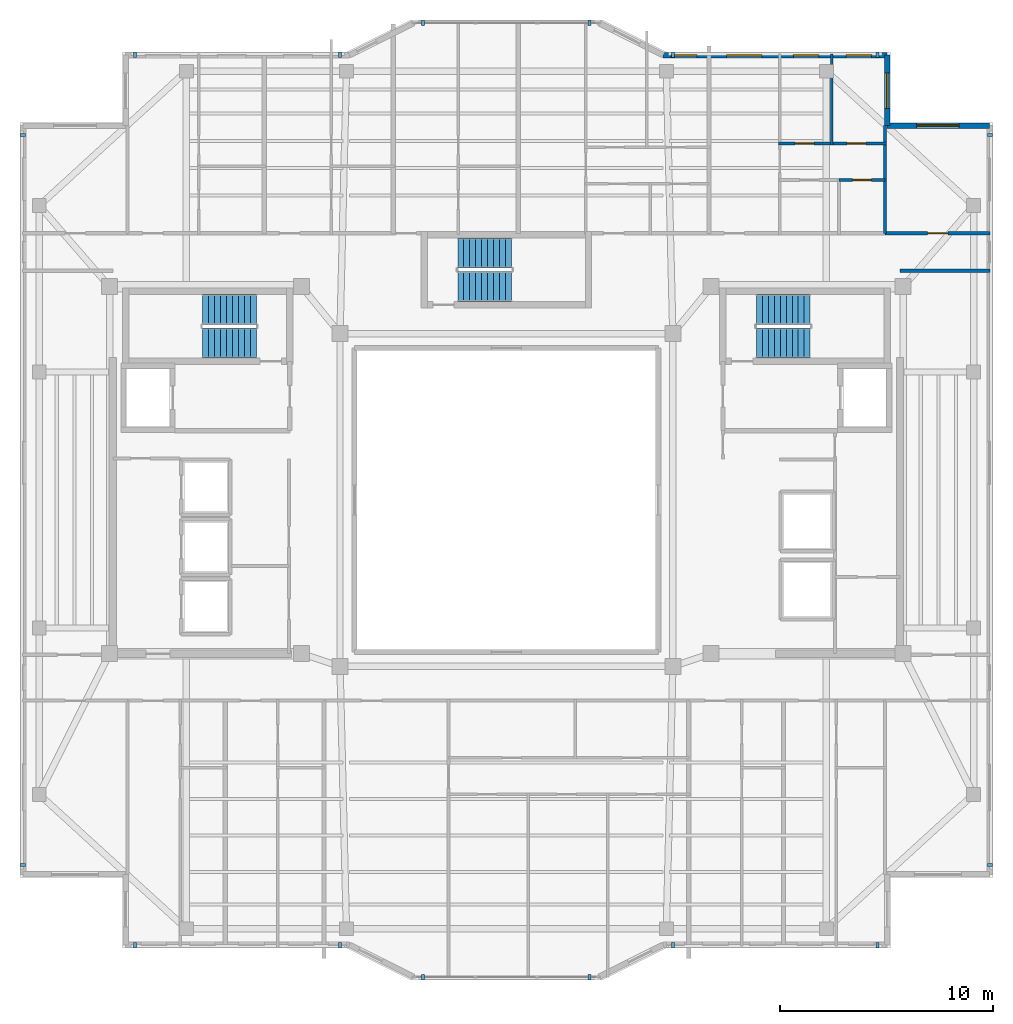
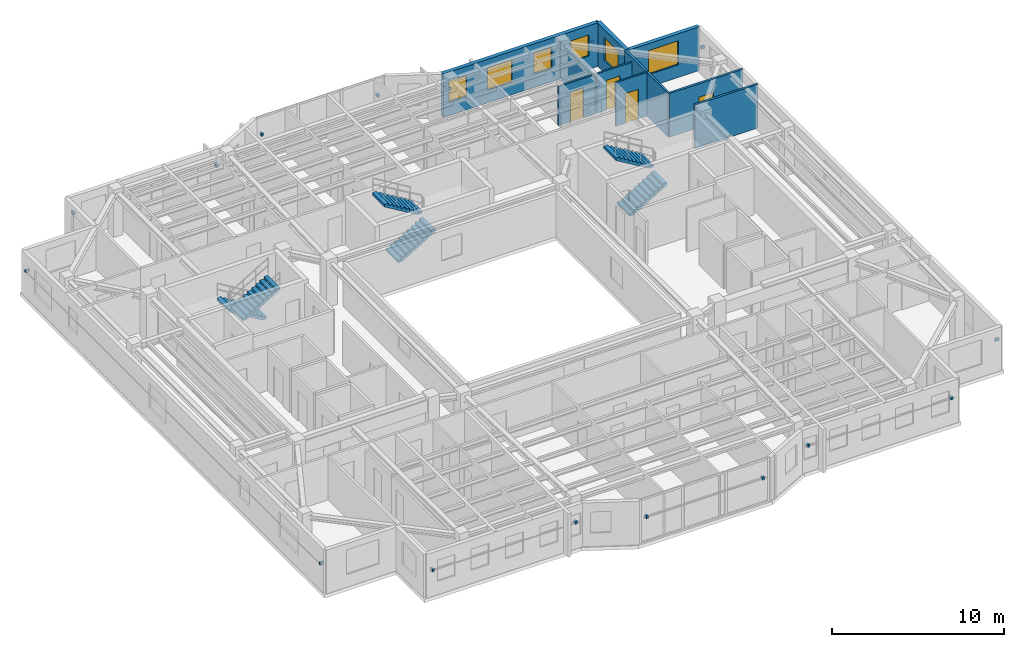
# One storey, part 11 of 14: 16 discrete accessories, 9 walls, 6 stair flights, 6 windows, 4 doors, 10 openings, 3 elements without a shape of their own.
"""IFC4 building model written with IfcOpenShell, lengths in metres."""

from ifc_helpers import new_model, si_unit, direction, frame, frame_2d, origin, origin_2d, place, context, subcontext, project, spatial, polyline, rectangle, outline, extrude, material, layer, layer_set, type_object, element, fill, aggregate, save


model = new_model("IFC4")

# Units and contexts
model_context = context("Model", 3, precision=1e-05, world=origin(), true_north=direction((0.0, 1.0)))
body_context = subcontext(model_context, "Body", "Model", "MODEL_VIEW")
ifc_project = project(units=[si_unit("LENGTHUNIT", "METRE"), si_unit("AREAUNIT", "SQUARE_METRE"), si_unit("VOLUMEUNIT", "CUBIC_METRE"), si_unit("PLANEANGLEUNIT", "RADIAN"), si_unit("MASSUNIT", "GRAM", prefix="KILO")], contexts=[model_context])

# Site, building, storey
site_placement = place(None, origin())
site = spatial("IfcSite", under=ifc_project, at=site_placement, CompositionType="ELEMENT")
building_placement = place(site_placement, origin())
building = spatial("IfcBuilding", under=site, at=building_placement, Name="Tarnavaz Court Tower", CompositionType="ELEMENT")
storey_placement = place(building_placement, frame((0.0, 0.0, 264.949951171875)))
storey = spatial("IfcBuildingStorey", under=building, at=storey_placement, Name="L72", CompositionType="ELEMENT", Elevation=264.949951171875)

# Wall, openings, windows
ifc_material_1 = material(Name="Precast Concrete C40/50", Category="concrete")
ifc_layer_1 = layer(ifc_material_1, 0.260009765625)
ifc_layer_set_1 = layer_set([ifc_layer_1], Name="Precast Concrete C40/50")
wall_type_1 = type_object("IfcWallType", Name="WL-EXT-260", PredefinedType="SOLIDWALL", material=ifc_layer_set_1)
wall_1_placement = place(storey_placement, frame((7.35009765625, 20.85009765625, 0.0), z_axis=(0.0, 0.0, 1.0), x_axis=(1.0, 0.0, 0.0)))
wall_1 = element("IfcWall", 1, at=wall_1_placement, inside=storey, type_object=wall_type_1, Name="L72 Exterior Terracotta Facade Wall 09", PredefinedType="SOLIDWALL", context=body_context, shape_type="SweptSolid", body=[
    extrude(rectangle(XDim=10.5, YDim=0.260009765625, at=frame_2d((5.25, 0.0))), origin(), (0.0, 0.0, 1.0), 3.10009765625),
])
opening_1_placement = place(wall_1_placement, frame((0.375, 0.0, 0.949951171875)))
opening_1 = element("IfcOpeningElement", 2, at=opening_1_placement, cuts=wall_1, Name="Opening W05", PredefinedType="OPENING", context=body_context, shape_type="SweptSolid", body=[
    extrude(rectangle(XDim=1.199951171875, YDim=1.5, at=frame_2d((0.60009765625, 0.75))), frame((0.0, 0.139892578125, 0.0), z_axis=(0.0, -1.0, 0.0), x_axis=(1.0, 0.0, 0.0)), (0.0, 0.0, 1.0), 0.280029296875),
])
opening_2_placement = place(wall_1_placement, frame((2.97509765625, 0.0, 0.89990234375)))
opening_2 = element("IfcOpeningElement", 3, at=opening_2_placement, cuts=wall_1, Name="Opening W02", PredefinedType="OPENING", context=body_context, shape_type="SweptSolid", body=[
    extrude(rectangle(XDim=1.64990234375, YDim=1.60009765625, at=frame_2d((0.824951171875, 0.800048828125))), frame((0.0, 0.139892578125, 0.0), z_axis=(0.0, -1.0, 0.0), x_axis=(1.0, 0.0, 0.0)), (0.0, 0.0, 1.0), 0.280029296875),
])
opening_3_placement = place(wall_1_placement, frame((6.10009765625, 0.0, 0.949951171875)))
opening_3 = element("IfcOpeningElement", 4, at=opening_3_placement, cuts=wall_1, Name="Opening W05", PredefinedType="OPENING", context=body_context, shape_type="SweptSolid", body=[
    extrude(rectangle(XDim=1.199951171875, YDim=1.5, at=frame_2d((0.60009765625, 0.75))), frame((0.0, 0.139892578125, 0.0), z_axis=(0.0, -1.0, 0.0), x_axis=(1.0, 0.0, 0.0)), (0.0, 0.0, 1.0), 0.280029296875),
])
opening_4_placement = place(wall_1_placement, frame((8.574951171875, 0.0, 0.949951171875)))
opening_4 = element("IfcOpeningElement", 5, at=opening_4_placement, cuts=wall_1, Name="Opening W05", PredefinedType="OPENING", context=body_context, shape_type="SweptSolid", body=[
    extrude(rectangle(XDim=1.199951171875, YDim=1.5, at=frame_2d((0.60009765625, 0.75))), frame((0.0, 0.139892578125, 0.0), z_axis=(0.0, -1.0, 0.0), x_axis=(1.0, 0.0, 0.0)), (0.0, 0.0, 1.0), 0.280029296875),
])
ifc_material_2 = material(Name="Double-Glazed Solar Low-E Glass", Category="glass")
window_type_1 = type_object("IfcWindowType", Name="WN-APT-1200", PartitioningType="SINGLE_PANEL", PredefinedType="WINDOW", material=ifc_material_2)
window_1_placement = place(opening_1_placement, origin())
window_1 = element("IfcWindow", 6, at=window_1_placement, inside=storey, type_object=window_type_1, Name="L72 Flat 04 Bedroom 2 Window", OverallHeight=1.5, OverallWidth=1.199951171875, PartitioningType="SINGLE_PANEL", PredefinedType="WINDOW", context=body_context, shape_type="SweptSolid", body=[
    extrude(rectangle(XDim=1.199951171875, YDim=1.5, at=frame_2d((0.60009765625, 0.75))), frame((0.0, 0.030029296875, 0.0), z_axis=(0.0, -1.0, 0.0), x_axis=(1.0, 0.0, 0.0)), (0.0, 0.0, 1.0), 0.06005859375),
])
fill(opening_1, window_1)
window_2_placement = place(opening_3_placement, origin())
window_2 = element("IfcWindow", 7, at=window_2_placement, inside=storey, type_object=window_type_1, Name="L72 Flat 05 Principal Bedroom Window", OverallHeight=1.5, OverallWidth=1.199951171875, PartitioningType="SINGLE_PANEL", PredefinedType="WINDOW", context=body_context, shape_type="SweptSolid", body=[
    extrude(rectangle(XDim=1.199951171875, YDim=1.5, at=frame_2d((0.60009765625, 0.75))), frame((0.0, 0.030029296875, 0.0), z_axis=(0.0, -1.0, 0.0), x_axis=(1.0, 0.0, 0.0)), (0.0, 0.0, 1.0), 0.06005859375),
])
fill(opening_3, window_2)
window_3_placement = place(opening_4_placement, origin())
window_3 = element("IfcWindow", 8, at=window_3_placement, inside=storey, type_object=window_type_1, Name="L72 Flat 05 Bedroom 2 Window", OverallHeight=1.5, OverallWidth=1.199951171875, PartitioningType="SINGLE_PANEL", PredefinedType="WINDOW", context=body_context, shape_type="SweptSolid", body=[
    extrude(rectangle(XDim=1.199951171875, YDim=1.5, at=frame_2d((0.60009765625, 0.75))), frame((0.0, 0.030029296875, 0.0), z_axis=(0.0, -1.0, 0.0), x_axis=(1.0, 0.0, 0.0)), (0.0, 0.0, 1.0), 0.06005859375),
])
fill(opening_4, window_3)
window_type_2 = type_object("IfcWindowType", Name="WN-APT-1650", PartitioningType="DOUBLE_PANEL_VERTICAL", PredefinedType="WINDOW", material=ifc_material_2)
window_4_placement = place(opening_2_placement, origin())
window_4 = element("IfcWindow", 9, at=window_4_placement, inside=storey, type_object=window_type_2, Name="L72 Flat 05 Living and Dining Room Window", OverallHeight=1.60009765625, OverallWidth=1.64990234375, PartitioningType="SINGLE_PANEL", PredefinedType="WINDOW", context=body_context, shape_type="SweptSolid", body=[
    extrude(rectangle(XDim=1.64990234375, YDim=1.60009765625, at=frame_2d((0.824951171875, 0.800048828125))), frame((0.0, 0.030029296875, 0.0), z_axis=(0.0, -1.0, 0.0), x_axis=(1.0, 0.0, 0.0)), (0.0, 0.0, 1.0), 0.06005859375),
])
fill(opening_2, window_4)

# Wall, opening, window
wall_2_placement = place(storey_placement, frame((17.85009765625, 20.85009765625, 0.0), z_axis=(0.0, 0.0, 1.0), x_axis=(0.0, -1.0, 0.0)))
wall_2 = element("IfcWall", 10, at=wall_2_placement, inside=storey, type_object=wall_type_1, Name="L72 Exterior Terracotta Facade Wall 10", PredefinedType="SOLIDWALL", context=body_context, shape_type="SweptSolid", body=[
    extrude(rectangle(XDim=3.300048828125, YDim=0.260009765625, at=frame_2d((1.64990234375, 0.0))), origin(), (0.0, 0.0, 1.0), 3.10009765625),
])
opening_5_placement = place(wall_2_placement, frame((0.842529296875, 0.0, 0.89990234375)))
opening_5 = element("IfcOpeningElement", 11, at=opening_5_placement, cuts=wall_2, Name="Opening W02", PredefinedType="OPENING", context=body_context, shape_type="SweptSolid", body=[
    extrude(rectangle(XDim=1.64990234375, YDim=1.60009765625, at=frame_2d((0.824951171875, 0.800048828125))), frame((0.0, 0.139892578125, 0.0), z_axis=(0.0, -1.0, 0.0), x_axis=(1.0, 0.0, 0.0)), (0.0, 0.0, 1.0), 0.280029296875),
])
window_5_placement = place(opening_5_placement, origin())
window_5 = element("IfcWindow", 12, at=window_5_placement, inside=storey, type_object=window_type_2, Name="L72 Flat 05 Bedroom 2 Window", OverallHeight=1.60009765625, OverallWidth=1.64990234375, PartitioningType="SINGLE_PANEL", PredefinedType="WINDOW", context=body_context, shape_type="SweptSolid", body=[
    extrude(rectangle(XDim=1.64990234375, YDim=1.60009765625, at=frame_2d((0.824951171875, 0.800048828125))), frame((0.0, 0.030029296875, 0.0), z_axis=(0.0, -1.0, 0.0), x_axis=(1.0, 0.0, 0.0)), (0.0, 0.0, 1.0), 0.06005859375),
])
fill(opening_5, window_5)

wall_3_placement = place(storey_placement, frame((17.85009765625, 17.550048828125, 0.0), z_axis=(0.0, 0.0, 1.0), x_axis=(1.0, 0.0, 0.0)))
wall_3 = element("IfcWall", 13, at=wall_3_placement, inside=storey, type_object=wall_type_1, Name="L72 Exterior Terracotta Facade Wall 11", PredefinedType="SOLIDWALL", context=body_context, shape_type="SweptSolid", body=[
    extrude(rectangle(XDim=4.7998046875, YDim=0.260009765625, at=frame_2d((2.39990234375, 0.0))), origin(), (0.0, 0.0, 1.0), 3.10009765625),
])
opening_6_placement = place(wall_3_placement, frame((1.374755859375, 0.0, 0.89990234375)))
opening_6 = element("IfcOpeningElement", 14, at=opening_6_placement, cuts=wall_3, Name="Opening W08", PredefinedType="OPENING", context=body_context, shape_type="SweptSolid", body=[
    extrude(rectangle(XDim=2.0, YDim=1.699951171875, at=frame_2d((1.0, 0.85009765625))), frame((0.0, 0.139892578125, 0.0), z_axis=(0.0, -1.0, 0.0), x_axis=(1.0, 0.0, 0.0)), (0.0, 0.0, 1.0), 0.280029296875),
])
window_type_3 = type_object("IfcWindowType", Name="WN-APT-2000", PartitioningType="DOUBLE_PANEL_VERTICAL", PredefinedType="WINDOW", material=ifc_material_2)
window_6_placement = place(opening_6_placement, origin())
window_6 = element("IfcWindow", 15, at=window_6_placement, inside=storey, type_object=window_type_3, Name="L72 North-East Corner Sunroom Study Window", OverallHeight=1.699951171875, OverallWidth=2.0, PartitioningType="SINGLE_PANEL", PredefinedType="WINDOW", context=body_context, shape_type="SweptSolid", body=[
    extrude(rectangle(XDim=2.0, YDim=1.699951171875, at=frame_2d((1.0, 0.85009765625))), frame((0.0, 0.030029296875, 0.0), z_axis=(0.0, -1.0, 0.0), x_axis=(1.0, 0.0, 0.0)), (0.0, 0.0, 1.0), 0.06005859375),
])
fill(opening_6, window_6)

# Wall
ifc_material_3 = material(Name="Gypsum Fire-Board on Acoustic Metal Stud", Category="masonry")
ifc_layer_2 = layer(ifc_material_3, 0.14990234375)
ifc_layer_set_2 = layer_set([ifc_layer_2], Name="Gypsum Fire-Board on Acoustic Metal Stud")
wall_type_2 = type_object("IfcWallType", Name="WL-FIRE-150", PredefinedType="PARTITIONING", material=ifc_layer_set_2)
wall_4_placement = place(storey_placement, frame((18.449951171875, 10.75, 0.0), z_axis=(0.0, 0.0, 1.0), x_axis=(1.0, 0.0, 0.0)))
element("IfcWall", 16, at=wall_4_placement, inside=storey, type_object=wall_type_2, Name="L72 Interior Partition 112", PredefinedType="PARTITIONING", context=body_context, shape_type="SweptSolid", body=[
    extrude(rectangle(XDim=4.22998046875, YDim=0.14990234375, at=frame_2d((2.114990234375, 0.0))), origin(), (0.0, 0.0, 1.0), 3.10009765625),
])

# Wall, opening, door
wall_5_placement = place(storey_placement, frame((17.75, 12.5, 0.0), z_axis=(0.0, 0.0, 1.0), x_axis=(1.0, 0.0, 0.0)))
wall_5 = element("IfcWall", 17, at=wall_5_placement, inside=storey, type_object=wall_type_2, Name="L72 Interior Partition 118", PredefinedType="PARTITIONING", context=body_context, shape_type="SweptSolid", body=[
    extrude(rectangle(XDim=4.929931640625, YDim=0.14990234375, at=frame_2d((2.46484375, 0.0))), origin(), (0.0, 0.0, 1.0), 3.10009765625),
])
opening_7_placement = place(wall_5_placement, frame((1.989990234375, 0.0, 0.0)))
opening_7 = element("IfcOpeningElement", 18, at=opening_7_placement, cuts=wall_5, Name="Opening D13", PredefinedType="OPENING", context=body_context, shape_type="SweptSolid", body=[
    extrude(rectangle(XDim=0.949951171875, YDim=2.14990234375, at=frame_2d((0.47509765625, 1.074951171875))), frame((0.0, 0.0849609375, 0.0), z_axis=(0.0, -1.0, 0.0), x_axis=(1.0, 0.0, 0.0)), (0.0, 0.0, 1.0), 0.169921875),
])
ifc_material_4 = material(Name="Engineered Oak Timber", Category="wood")
door_type_1 = type_object("IfcDoorType", Name="DR-INT-950", OperationType="NOTDEFINED", PredefinedType="DOOR", material=ifc_material_4)
door_1_placement = place(opening_7_placement, origin())
door_1 = element("IfcDoor", 19, at=door_1_placement, inside=storey, type_object=door_type_1, Name="L72 NE Sunroom Door", OperationType="SINGLE_SWING_LEFT", OverallHeight=2.14990234375, OverallWidth=0.949951171875, PredefinedType="DOOR", context=body_context, shape_type="SweptSolid", body=[
    extrude(rectangle(XDim=0.949951171875, YDim=2.14990234375, at=frame_2d((0.47509765625, 1.074951171875))), frame((0.0, 0.02490234375, 0.0), z_axis=(0.0, -1.0, 0.0), x_axis=(1.0, 0.0, 0.0)), (0.0, 0.0, 1.0), 0.050048828125),
])
fill(opening_7, door_1)

ifc_material_5 = material(Name="Moisture-Resistant Gypsum Board Partition", Category="masonry")
ifc_layer_3 = layer(ifc_material_5, 0.1201171875)
ifc_layer_set_3 = layer_set([ifc_layer_3], Name="Moisture-Resistant Gypsum Board Partition")
wall_type_3 = type_object("IfcWallType", Name="WL-PART-120", PredefinedType="PARTITIONING", material=ifc_layer_set_3)
wall_6_placement = place(storey_placement, frame((15.592041015625, 15.0, 0.0), z_axis=(0.0, 0.0, 1.0), x_axis=(1.0, 0.0, 0.0)))
wall_6 = element("IfcWall", 20, at=wall_6_placement, inside=storey, type_object=wall_type_3, Name="L72 Interior Partition 081", PredefinedType="PARTITIONING", context=body_context, shape_type="SweptSolid", body=[
    extrude(rectangle(XDim=2.157958984375, YDim=0.1201171875, at=frame_2d((1.0791015625, 0.0))), origin(), (0.0, 0.0, 1.0), 3.10009765625),
])
opening_8_placement = place(wall_6_placement, frame((0.638916015625, 0.0, 0.0)))
opening_8 = element("IfcOpeningElement", 21, at=opening_8_placement, cuts=wall_6, Name="Opening D14", PredefinedType="OPENING", context=body_context, shape_type="SweptSolid", body=[
    extrude(rectangle(XDim=0.8798828125, YDim=2.10009765625, at=frame_2d((0.43994140625, 1.050048828125))), frame((0.0, 0.070068359375, 0.0), z_axis=(0.0, -1.0, 0.0), x_axis=(1.0, 0.0, 0.0)), (0.0, 0.0, 1.0), 0.14013671875),
])
door_type_2 = type_object("IfcDoorType", Name="DR-INT-900", OperationType="NOTDEFINED", PredefinedType="DOOR", material=ifc_material_4)
door_2_placement = place(opening_8_placement, origin())
door_2 = element("IfcDoor", 22, at=door_2_placement, inside=storey, type_object=door_type_2, Name="L72 Flat 05 Bathroom Door", OperationType="SINGLE_SWING_RIGHT", OverallHeight=2.10009765625, OverallWidth=0.8798828125, PredefinedType="DOOR", context=body_context, shape_type="SweptSolid", body=[
    extrude(rectangle(XDim=0.8798828125, YDim=2.10009765625, at=frame_2d((0.43994140625, 1.050048828125))), frame((0.0, 0.02490234375, 0.0), z_axis=(0.0, -1.0, 0.0), x_axis=(1.0, 0.0, 0.0)), (0.0, 0.0, 1.0), 0.050048828125),
])
fill(opening_8, door_2)

# Wall, openings, doors
wall_7_placement = place(storey_placement, frame((12.751953125, 16.7099609375, 0.0), z_axis=(0.0, 0.0, 1.0), x_axis=(1.0, 0.0, 0.0)))
wall_7 = element("IfcWall", 23, at=wall_7_placement, inside=storey, type_object=wall_type_3, Name="L72 Interior Partition 082", PredefinedType="PARTITIONING", context=body_context, shape_type="SweptSolid", body=[
    extrude(rectangle(XDim=5.05810546875, YDim=0.1201171875, at=frame_2d((2.529052734375, 0.0))), origin(), (0.0, 0.0, 1.0), 2.78515625),
])
opening_9_placement = place(wall_7_placement, frame((0.780029296875, 0.0, 0.0)))
opening_9 = element("IfcOpeningElement", 24, at=opening_9_placement, cuts=wall_7, Name="Opening D14", PredefinedType="OPENING", context=body_context, shape_type="SweptSolid", body=[
    extrude(rectangle(XDim=0.8798828125, YDim=2.10009765625, at=frame_2d((0.43994140625, 1.050048828125))), frame((0.0, 0.070068359375, 0.0), z_axis=(0.0, -1.0, 0.0), x_axis=(1.0, 0.0, 0.0)), (0.0, 0.0, 1.0), 0.14013671875),
])
opening_10_placement = place(wall_7_placement, frame((3.218994140625, 0.0, 0.0)))
opening_10 = element("IfcOpeningElement", 25, at=opening_10_placement, cuts=wall_7, Name="Opening D14", PredefinedType="OPENING", context=body_context, shape_type="SweptSolid", body=[
    extrude(rectangle(XDim=0.8798828125, YDim=2.10009765625, at=frame_2d((0.43994140625, 1.050048828125))), frame((0.0, 0.070068359375, 0.0), z_axis=(0.0, -1.0, 0.0), x_axis=(1.0, 0.0, 0.0)), (0.0, 0.0, 1.0), 0.14013671875),
])
door_3_placement = place(opening_9_placement, origin())
door_3 = element("IfcDoor", 26, at=door_3_placement, inside=storey, type_object=door_type_2, Name="L72 Flat 05 Bedroom 1 Door", OperationType="SINGLE_SWING_LEFT", OverallHeight=2.10009765625, OverallWidth=0.8798828125, PredefinedType="DOOR", context=body_context, shape_type="SweptSolid", body=[
    extrude(rectangle(XDim=0.8798828125, YDim=2.10009765625, at=frame_2d((0.43994140625, 1.050048828125))), frame((0.0, 0.02490234375, 0.0), z_axis=(0.0, -1.0, 0.0), x_axis=(1.0, 0.0, 0.0)), (0.0, 0.0, 1.0), 0.050048828125),
])
fill(opening_9, door_3)
door_4_placement = place(opening_10_placement, origin())
door_4 = element("IfcDoor", 27, at=door_4_placement, inside=storey, type_object=door_type_2, Name="L72 Flat 05 Bedroom 2 Door", OperationType="SINGLE_SWING_RIGHT", OverallHeight=2.10009765625, OverallWidth=0.8798828125, PredefinedType="DOOR", context=body_context, shape_type="SweptSolid", body=[
    extrude(rectangle(XDim=0.8798828125, YDim=2.10009765625, at=frame_2d((0.43994140625, 1.050048828125))), frame((0.0, 0.02490234375, 0.0), z_axis=(0.0, -1.0, 0.0), x_axis=(1.0, 0.0, 0.0)), (0.0, 0.0, 1.0), 0.050048828125),
])
fill(opening_10, door_4)

# Walls
wall_8_placement = place(storey_placement, frame((15.2509765625, 16.64990234375, 0.0), z_axis=(0.0, 0.0, 1.0), x_axis=(0.0, 1.0, 0.0)))
element("IfcWall", 28, at=wall_8_placement, inside=storey, type_object=wall_type_3, Name="L72 Interior Partition 084", PredefinedType="PARTITIONING", context=body_context, shape_type="SweptSolid", body=[
    extrude(rectangle(XDim=4.25, YDim=0.1201171875, at=frame_2d((2.125, 0.0))), origin(), (0.0, 0.0, 1.0), 2.68505859375),
])
ifc_material_6 = material(Name="Gypsum Plasterboard Acoustic Partition", Category="masonry")
ifc_layer_4 = layer(ifc_material_6, 0.139892578125)
ifc_layer_set_4 = layer_set([ifc_layer_4], Name="Gypsum Plasterboard Acoustic Partition")
wall_type_4 = type_object("IfcWallType", Name="WL-PART-150", PredefinedType="PARTITIONING", material=ifc_layer_set_4)
wall_9_placement = place(storey_placement, frame((17.75, 12.5, 0.0), z_axis=(0.0, 0.0, 1.0), x_axis=(0.0, 1.0, 0.0)))
element("IfcWall", 29, at=wall_9_placement, inside=storey, type_object=wall_type_4, Name="L72 Interior Partition 116", PredefinedType="PARTITIONING", context=body_context, shape_type="SweptSolid", body=[
    extrude(rectangle(XDim=5.050048828125, YDim=0.139892578125, at=frame_2d((2.52490234375, 0.0))), origin(), (0.0, 0.0, 1.0), 3.10009765625),
])

# Stair, stair flights
ifc_material_7 = material(Name="Concrete C40/50", Category="concrete")
stair_type = type_object("IfcStairType", Name="ST-TWR-20R", PredefinedType="HALF_TURN_STAIR", material=ifc_material_7)
stair_1_placement = place(storey_placement, origin())
stair_1 = element("IfcStair", 30, at=stair_1_placement, inside=storey, type_object=stair_type, Name="L72 West Core Pressurized Exit Stair ST-W1", PredefinedType="HALF_TURN_STAIR")
stair_flight_type = type_object("IfcStairFlightType", Name="SFL-RC-20R", PredefinedType="STRAIGHT", material=ifc_material_7)
stair_flight_1_placement = place(storey_placement, frame((-11.719970703125, 8.929931640625, 0.0), z_axis=(0.0, 0.0, 1.0), x_axis=(-1.0, 0.0, 0.0)))
stair_flight_1 = element("IfcStairFlight", 31, at=stair_flight_1_placement, type_object=stair_flight_type, Name="ST-W1 flight 1", NumberOfRisers=10, NumberOfTreads=9, PredefinedType="STRAIGHT", RiserHeight=0.1675, TreadLength=0.28, context=body_context, shape_type="SweptSolid", body=[
    extrude(outline(polyline([(0.0, 0.0), (0.0, 0.16748046875), (0.280029296875, 0.16748046875), (0.280029296875, 0.3349609375), (0.56005859375, 0.3349609375), (0.56005859375, 0.50244140625), (0.840087890625, 0.50244140625), (0.840087890625, 0.669921875), (1.1201171875, 0.669921875), (1.1201171875, 0.83740234375), (1.39990234375, 0.83740234375), (1.39990234375, 1.0048828125), (1.679931640625, 1.0048828125), (1.679931640625, 1.172607421875), (1.9599609375, 1.172607421875), (1.9599609375, 1.340087890625), (2.239990234375, 1.340087890625), (2.239990234375, 1.507568359375), (2.52001953125, 1.507568359375), (2.52001953125, 1.675048828125), (2.52001953125, 1.332763671875), (0.2919921875, 0.0), (0.0, 0.0)])), frame((0.0, 0.7099609375, 0.0), z_axis=(0.0, -1.0, 0.0), x_axis=(1.0, 0.0, 0.0)), (0.0, 0.0, 1.0), 1.419921875),
])
stair_flight_2_placement = place(storey_placement, frame((-14.239990234375, 7.360107421875, 1.675048828125), z_axis=(0.0, 0.0, 1.0), x_axis=(1.0, 0.0, 0.0)))
stair_flight_2 = element("IfcStairFlight", 32, at=stair_flight_2_placement, type_object=stair_flight_type, Name="ST-W1 flight 2", NumberOfRisers=10, NumberOfTreads=9, PredefinedType="STRAIGHT", RiserHeight=0.1675, TreadLength=0.28, context=body_context, shape_type="SweptSolid", body=[
    extrude(outline(polyline([(0.0, 0.0), (0.0, 0.16748046875), (0.280029296875, 0.16748046875), (0.280029296875, 0.3349609375), (0.56005859375, 0.3349609375), (0.56005859375, 0.50244140625), (0.840087890625, 0.50244140625), (0.840087890625, 0.669921875), (1.1201171875, 0.669921875), (1.1201171875, 0.83740234375), (1.39990234375, 0.83740234375), (1.39990234375, 1.0048828125), (1.679931640625, 1.0048828125), (1.679931640625, 1.172607421875), (1.9599609375, 1.172607421875), (1.9599609375, 1.340087890625), (2.239990234375, 1.340087890625), (2.239990234375, 1.507568359375), (2.52001953125, 1.507568359375), (2.52001953125, 1.675048828125), (2.52001953125, 1.332763671875), (0.2919921875, 0.0), (0.0, 0.0)])), frame((0.0, 0.7099609375, 0.0), z_axis=(0.0, -1.0, 0.0), x_axis=(1.0, 0.0, 0.0)), (0.0, 0.0, 1.0), 1.419921875),
])
aggregate(stair_1, [stair_flight_1, stair_flight_2])

stair_2_placement = place(storey_placement, origin())
stair_2 = element("IfcStair", 33, at=stair_2_placement, inside=storey, type_object=stair_type, Name="L72 East Core Pressurized Exit Stair ST-E1", PredefinedType="HALF_TURN_STAIR")
stair_flight_3_placement = place(storey_placement, frame((11.719970703125, 7.360107421875, 0.0), z_axis=(0.0, 0.0, 1.0), x_axis=(1.0, 0.0, 0.0)))
stair_flight_3 = element("IfcStairFlight", 34, at=stair_flight_3_placement, type_object=stair_flight_type, Name="ST-E1 flight 1", NumberOfRisers=10, NumberOfTreads=9, PredefinedType="STRAIGHT", RiserHeight=0.1675, TreadLength=0.28, context=body_context, shape_type="SweptSolid", body=[
    extrude(outline(polyline([(0.0, 0.0), (0.0, 0.16748046875), (0.280029296875, 0.16748046875), (0.280029296875, 0.3349609375), (0.56005859375, 0.3349609375), (0.56005859375, 0.50244140625), (0.840087890625, 0.50244140625), (0.840087890625, 0.669921875), (1.1201171875, 0.669921875), (1.1201171875, 0.83740234375), (1.39990234375, 0.83740234375), (1.39990234375, 1.0048828125), (1.679931640625, 1.0048828125), (1.679931640625, 1.172607421875), (1.9599609375, 1.172607421875), (1.9599609375, 1.340087890625), (2.239990234375, 1.340087890625), (2.239990234375, 1.507568359375), (2.52001953125, 1.507568359375), (2.52001953125, 1.675048828125), (2.52001953125, 1.332763671875), (0.2919921875, 0.0), (0.0, 0.0)])), frame((0.0, 0.7099609375, 0.0), z_axis=(0.0, -1.0, 0.0), x_axis=(1.0, 0.0, 0.0)), (0.0, 0.0, 1.0), 1.419921875),
])
stair_flight_4_placement = place(storey_placement, frame((14.239990234375, 8.929931640625, 1.675048828125), z_axis=(0.0, 0.0, 1.0), x_axis=(-1.0, 0.0, 0.0)))
stair_flight_4 = element("IfcStairFlight", 35, at=stair_flight_4_placement, type_object=stair_flight_type, Name="ST-E1 flight 2", NumberOfRisers=10, NumberOfTreads=9, PredefinedType="STRAIGHT", RiserHeight=0.1675, TreadLength=0.28, context=body_context, shape_type="SweptSolid", body=[
    extrude(outline(polyline([(0.0, 0.0), (0.0, 0.16748046875), (0.280029296875, 0.16748046875), (0.280029296875, 0.3349609375), (0.56005859375, 0.3349609375), (0.56005859375, 0.50244140625), (0.840087890625, 0.50244140625), (0.840087890625, 0.669921875), (1.1201171875, 0.669921875), (1.1201171875, 0.83740234375), (1.39990234375, 0.83740234375), (1.39990234375, 1.0048828125), (1.679931640625, 1.0048828125), (1.679931640625, 1.172607421875), (1.9599609375, 1.172607421875), (1.9599609375, 1.340087890625), (2.239990234375, 1.340087890625), (2.239990234375, 1.507568359375), (2.52001953125, 1.507568359375), (2.52001953125, 1.675048828125), (2.52001953125, 1.332763671875), (0.2919921875, 0.0), (0.0, 0.0)])), frame((0.0, 0.7099609375, 0.0), z_axis=(0.0, -1.0, 0.0), x_axis=(1.0, 0.0, 0.0)), (0.0, 0.0, 1.0), 1.419921875),
])
aggregate(stair_2, [stair_flight_3, stair_flight_4])

stair_3_placement = place(storey_placement, origin())
stair_3 = element("IfcStair", 36, at=stair_3_placement, inside=storey, type_object=stair_type, Name="L72 North Ring Pressurized Exit Stair ST-N1", PredefinedType="HALF_TURN_STAIR")
stair_flight_5_placement = place(storey_placement, frame((-2.280029296875, 10.010009765625, 0.0), z_axis=(0.0, 0.0, 1.0), x_axis=(1.0, 0.0, 0.0)))
stair_flight_5 = element("IfcStairFlight", 37, at=stair_flight_5_placement, type_object=stair_flight_type, Name="ST-N1 flight 1", NumberOfRisers=10, NumberOfTreads=9, PredefinedType="STRAIGHT", RiserHeight=0.1675, TreadLength=0.28, context=body_context, shape_type="SweptSolid", body=[
    extrude(outline(polyline([(0.0, 0.0), (0.0, 0.16748046875), (0.280029296875, 0.16748046875), (0.280029296875, 0.3349609375), (0.56005859375, 0.3349609375), (0.56005859375, 0.50244140625), (0.840087890625, 0.50244140625), (0.840087890625, 0.669921875), (1.1201171875, 0.669921875), (1.1201171875, 0.83740234375), (1.39990234375, 0.83740234375), (1.39990234375, 1.0048828125), (1.679931640625, 1.0048828125), (1.679931640625, 1.172607421875), (1.9599609375, 1.172607421875), (1.9599609375, 1.340087890625), (2.239990234375, 1.340087890625), (2.239990234375, 1.507568359375), (2.52001953125, 1.507568359375), (2.52001953125, 1.675048828125), (2.52001953125, 1.332763671875), (0.2919921875, 0.0), (0.0, 0.0)])), frame((0.0, 0.7099609375, 0.0), z_axis=(0.0, -1.0, 0.0), x_axis=(1.0, 0.0, 0.0)), (0.0, 0.0, 1.0), 1.419921875),
])
stair_flight_6_placement = place(storey_placement, frame((0.239990234375, 11.580078125, 1.675048828125), z_axis=(0.0, 0.0, 1.0), x_axis=(-1.0, 0.0, 0.0)))
stair_flight_6 = element("IfcStairFlight", 38, at=stair_flight_6_placement, type_object=stair_flight_type, Name="ST-N1 flight 2", NumberOfRisers=10, NumberOfTreads=9, PredefinedType="STRAIGHT", RiserHeight=0.1675, TreadLength=0.28, context=body_context, shape_type="SweptSolid", body=[
    extrude(outline(polyline([(0.0, 0.0), (0.0, 0.16748046875), (0.280029296875, 0.16748046875), (0.280029296875, 0.3349609375), (0.56005859375, 0.3349609375), (0.56005859375, 0.50244140625), (0.840087890625, 0.50244140625), (0.840087890625, 0.669921875), (1.1201171875, 0.669921875), (1.1201171875, 0.83740234375), (1.39990234375, 0.83740234375), (1.39990234375, 1.0048828125), (1.679931640625, 1.0048828125), (1.679931640625, 1.172607421875), (1.9599609375, 1.172607421875), (1.9599609375, 1.340087890625), (2.239990234375, 1.340087890625), (2.239990234375, 1.507568359375), (2.52001953125, 1.507568359375), (2.52001953125, 1.675048828125), (2.52001953125, 1.332763671875), (0.2919921875, 0.0), (0.0, 0.0)])), frame((0.0, 0.7099609375, 0.0), z_axis=(0.0, -1.0, 0.0), x_axis=(1.0, 0.0, 0.0)), (0.0, 0.0, 1.0), 1.419921875),
])
aggregate(stair_3, [stair_flight_5, stair_flight_6])

# Discrete accessories
ifc_material_8 = material(Name="Anodised Aluminium 6063-T6", Category="aluminium")
discrete_accessory_type = type_object("IfcDiscreteAccessoryType", Name="DA-BRKT-ALU", PredefinedType="BRACKET", material=ifc_material_8)
for number, where, z_axis, x_axis, name in (
    (39, (-22.669921875, -17.10009765625, 1.75), (0.0, 0.0, 1.0), (0.0, 1.0, 0.0), "L72 Baguette Outrigger Bracket FBG02-1"),
    (40, (-22.669921875, 17.10009765625, 1.75), (0.0, 0.0, 1.0), (0.0, 1.0, 0.0), "L72 Baguette Outrigger Bracket FBG02-2"),
    (41, (-17.39990234375, 20.8701171875, 1.75), (0.0, 0.0, 1.0), (1.0, 0.0, 0.0), "L72 Baguette Outrigger Bracket FBG05-1"),
    (42, (-7.800048828125, 20.8701171875, 1.75), (0.0, 0.0, 1.0), (1.0, 0.0, 0.0), "L72 Baguette Outrigger Bracket FBG05-2"),
    (43, (-3.89990234375, 22.3701171875, 1.7001953125), (0.0, 0.0, 1.0), (1.0, 0.0, 0.0), "L72 Baguette Outrigger Bracket PBG7-1"),
    (44, (3.89990234375, 22.3701171875, 1.7001953125), (0.0, 0.0, 1.0), (1.0, 0.0, 0.0), "L72 Baguette Outrigger Bracket PBG7-2"),
    (45, (7.800048828125, 20.8701171875, 1.75), (0.0, 0.0, 1.0), (1.0, 0.0, 0.0), "L72 Baguette Outrigger Bracket FBG09-1"),
    (46, (17.39990234375, 20.8701171875, 1.75), (0.0, 0.0, 1.0), (1.0, 0.0, 0.0), "L72 Baguette Outrigger Bracket FBG09-2"),
    (47, (22.669921875, 17.10009765625, 1.75), (0.0, 0.0, 1.0), (0.0, -1.0, 0.0), "L72 Baguette Outrigger Bracket FBG12-1"),
    (48, (22.669921875, -17.10009765625, 1.75), (0.0, 0.0, 1.0), (0.0, -1.0, 0.0), "L72 Baguette Outrigger Bracket FBG12-2"),
    (49, (17.39990234375, -20.8701171875, 1.75), (0.0, 0.0, 1.0), (-1.0, 0.0, 0.0), "L72 Baguette Outrigger Bracket FBG15-1"),
    (50, (7.800048828125, -20.8701171875, 1.75), (0.0, 0.0, 1.0), (-1.0, 0.0, 0.0), "L72 Baguette Outrigger Bracket FBG15-2"),
    (51, (3.89990234375, -22.3701171875, 1.7001953125), (0.0, 0.0, 1.0), (-1.0, 0.0, 0.0), "L72 Baguette Outrigger Bracket PBG17-1"),
    (52, (-3.89990234375, -22.3701171875, 1.7001953125), (0.0, 0.0, 1.0), (-1.0, 0.0, 0.0), "L72 Baguette Outrigger Bracket PBG17-2"),
    (53, (-7.800048828125, -20.8701171875, 1.75), (0.0, 0.0, 1.0), (-1.0, 0.0, 0.0), "L72 Baguette Outrigger Bracket FBG19-1"),
    (54, (-17.39990234375, -20.8701171875, 1.75), (0.0, 0.0, 1.0), (-1.0, 0.0, 0.0), "L72 Baguette Outrigger Bracket FBG19-2"),
):
    element("IfcDiscreteAccessory", number, at=place(storey_placement, frame(where, z_axis=z_axis, x_axis=x_axis)), inside=storey, type_object=discrete_accessory_type, Name=name, PredefinedType="BRACKET", context=body_context, shape_type="SweptSolid", body=[
        extrude(rectangle(XDim=0.139892578125, YDim=0.239990234375, at=origin_2d()), origin(), (0.0, 0.0, 1.0), 0.199951171875),
    ])

save(model, "model.ifc")
